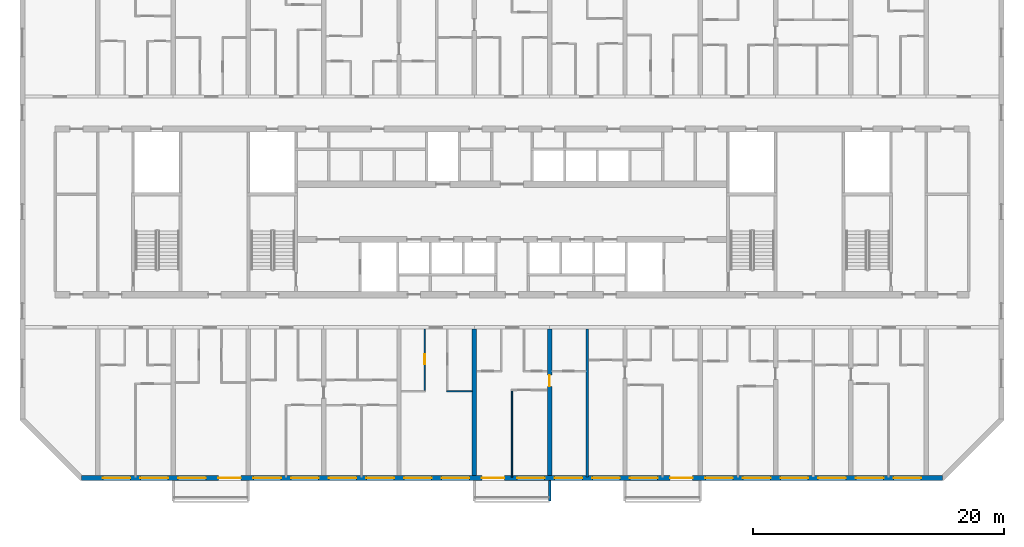
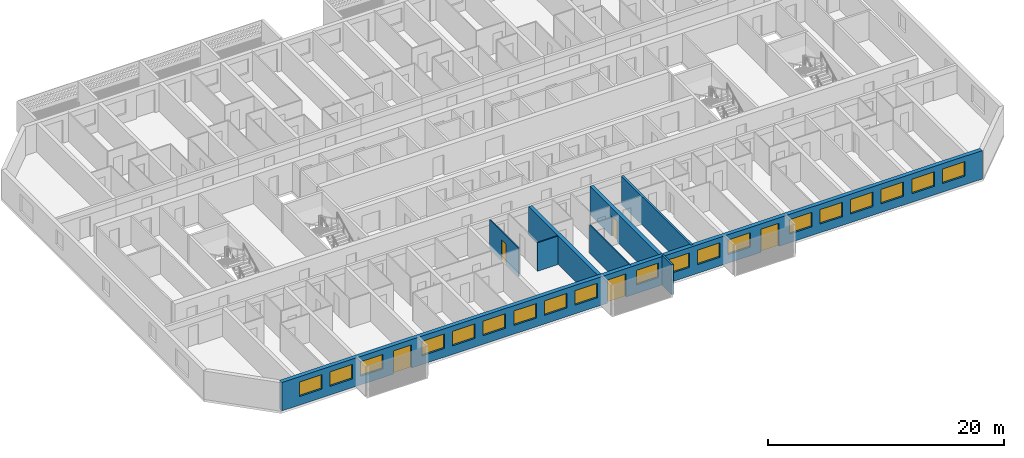
# One storey, part 4 of 24: 19 windows, 8 walls, 5 doors, 24 openings.
"""IFC4 building model written with IfcOpenShell, lengths in metres."""

from ifc_helpers import new_model, si_unit, direction, frame, frame_2d, origin, place, context, subcontext, project, spatial, polyline, rectangle, outline, extrude, source, transform, mapped, material, layer, layer_set, type_object, element, fill, save


model = new_model("IFC4")

# Units and contexts
model_context = context("Model", 3, precision=1e-05, world=origin(), true_north=direction((0.0, 1.0)))
body_context = subcontext(model_context, "Body", "Model", "MODEL_VIEW")
ifc_project = project(units=[si_unit("LENGTHUNIT", "METRE"), si_unit("AREAUNIT", "SQUARE_METRE"), si_unit("VOLUMEUNIT", "CUBIC_METRE"), si_unit("PLANEANGLEUNIT", "RADIAN"), si_unit("MASSUNIT", "GRAM", prefix="KILO")], contexts=[model_context])

# Site, building, storey
site_placement = place(None, origin())
site = spatial("IfcSite", under=ifc_project, at=site_placement, CompositionType="ELEMENT")
building_placement = place(site_placement, origin())
building = spatial("IfcBuilding", under=site, at=building_placement, Name="Poui Terraces", CompositionType="ELEMENT")
storey_placement = place(building_placement, frame((0.0, 0.0, 112.5)))
storey = spatial("IfcBuildingStorey", under=building, at=storey_placement, Name="L31", CompositionType="ELEMENT", Elevation=112.5)

# Wall
ifc_material_1 = material(Name="Concrete 65 MPa", Category="concrete")
ifc_layer_1 = layer(ifc_material_1, 0.35009765625)
ifc_layer_set_1 = layer_set([ifc_layer_1], Name="Concrete 65 MPa")
wall_type_1 = type_object("IfcWallType", Name="CROSS WALL 350 65MPa", PredefinedType="SHEAR", material=ifc_layer_set_1)
wall_1_placement = place(storey_placement, frame((48.0, 0.199951171875, 0.0), z_axis=(0.0, 0.0, 1.0), x_axis=(0.0, 1.0, 0.0)))
element("IfcWall", 1, at=wall_1_placement, inside=storey, type_object=wall_type_1, Name="CROSS WALL LINE 9 SOUTH", PredefinedType="SHEAR", context=body_context, shape_type="SweptSolid", body=[
    extrude(rectangle(XDim=11.675048828125, YDim=0.35009765625, at=frame_2d((5.83740234375, 0.0))), origin(), (0.0, 0.0, 1.0), 2.949951171875),
])

# Wall, opening, door
wall_2_placement = place(storey_placement, frame((54.0, 0.199951171875, 0.0), z_axis=(0.0, 0.0, 1.0), x_axis=(0.0, 1.0, 0.0)))
wall_2 = element("IfcWall", 2, at=wall_2_placement, inside=storey, type_object=wall_type_1, Name="CROSS WALL LINE 10 SOUTH", PredefinedType="SHEAR", context=body_context, shape_type="SweptSolid", body=[
    extrude(rectangle(XDim=11.675048828125, YDim=0.35009765625, at=frame_2d((5.83740234375, 0.0))), origin(), (0.0, 0.0, 1.0), 2.949951171875),
])
opening_1_placement = place(wall_2_placement, frame((7.10009765625, 0.0, 0.0)))
opening_1 = element("IfcOpeningElement", 3, at=opening_1_placement, cuts=wall_2, Name="Opening D90", PredefinedType="OPENING", context=body_context, shape_type="SweptSolid", body=[
    extrude(rectangle(XDim=0.89990234375, YDim=2.10009765625, at=frame_2d((0.449951171875, 1.050048828125))), frame((0.0, 0.18505859375, 0.0), z_axis=(0.0, -1.0, 0.0), x_axis=(1.0, 0.0, 0.0)), (0.0, 0.0, 1.0), 0.3701171875),
])
ifc_material_2 = material(Name="Solid core timber door", Category="wood")
door_type_1 = type_object("IfcDoorType", Name="INTERNAL DOOR 900 X 2100", OperationType="NOTDEFINED", PredefinedType="DOOR", material=ifc_material_2)
door_1_placement = place(opening_1_placement, frame((0.89990234375, 0.0, 0.0), z_axis=(0.0, 0.0, 1.0), x_axis=(-1.0, 0.0, 0.0)))
door_1 = element("IfcDoor", 4, at=door_1_placement, inside=storey, type_object=door_type_1, Name="INTERNAL DOOR 100", OperationType="SINGLE_SWING_LEFT", OverallHeight=2.10009765625, OverallWidth=0.89990234375, PredefinedType="DOOR", context=body_context, shape_type="SweptSolid", body=[
    extrude(rectangle(XDim=0.89990234375, YDim=2.10009765625, at=frame_2d((0.449951171875, 1.050048828125))), frame((0.0, 0.02490234375, 0.0), z_axis=(0.0, -1.0, 0.0), x_axis=(1.0, 0.0, 0.0)), (0.0, 0.0, 1.0), 0.050048828125),
])
fill(opening_1, door_1)

# Wall, openings, doors, windows
ifc_material_3 = material(Name="Precast concrete 40 MPa", Category="concrete")
ifc_layer_2 = layer(ifc_material_3, 0.39990234375)
ifc_layer_set_2 = layer_set([ifc_layer_2], Name="Precast concrete 40 MPa")
wall_type_2 = type_object("IfcWallType", Name="EXTERNAL WALL 400", PredefinedType="STANDARD", material=ifc_layer_set_2)
wall_3_placement = place(storey_placement, frame((16.682861328125, 0.0, 0.0), z_axis=(0.0, 0.0, 1.0), x_axis=(1.0, 0.0, 0.0)))
wall_3 = element("IfcWall", 5, at=wall_3_placement, inside=storey, type_object=wall_type_2, Name="EXTERNAL WALL S", PredefinedType="STANDARD", context=body_context, shape_type="SweptSolid", body=[
    extrude(rectangle(XDim=68.63427734375, YDim=0.39990234375, at=frame_2d((34.317138671875, 0.0))), origin(), (0.0, 0.0, 1.0), 2.949951171875),
])
opening_2_placement = place(wall_3_placement, frame((1.71728515625, 0.0, 0.89990234375)))
opening_2 = element("IfcOpeningElement", 6, at=opening_2_placement, cuts=wall_3, Name="Opening W1", PredefinedType="OPENING", context=body_context, shape_type="SweptSolid", body=[
    extrude(rectangle(XDim=2.199951171875, YDim=1.5, at=frame_2d((1.10009765625, 0.75))), frame((0.0, 0.2099609375, 0.0), z_axis=(0.0, -1.0, 0.0), x_axis=(1.0, 0.0, 0.0)), (0.0, 0.0, 1.0), 0.419921875),
])
opening_3_placement = place(wall_3_placement, frame((4.71728515625, 0.0, 0.89990234375)))
opening_3 = element("IfcOpeningElement", 7, at=opening_3_placement, cuts=wall_3, Name="Opening W1", PredefinedType="OPENING", context=body_context, shape_type="SweptSolid", body=[
    extrude(rectangle(XDim=2.199951171875, YDim=1.5, at=frame_2d((1.10009765625, 0.75))), frame((0.0, 0.2099609375, 0.0), z_axis=(0.0, -1.0, 0.0), x_axis=(1.0, 0.0, 0.0)), (0.0, 0.0, 1.0), 0.419921875),
])
opening_4_placement = place(wall_3_placement, frame((7.71728515625, 0.0, 0.89990234375)))
opening_4 = element("IfcOpeningElement", 8, at=opening_4_placement, cuts=wall_3, Name="Opening W1", PredefinedType="OPENING", context=body_context, shape_type="SweptSolid", body=[
    extrude(rectangle(XDim=2.199951171875, YDim=1.5, at=frame_2d((1.10009765625, 0.75))), frame((0.0, 0.2099609375, 0.0), z_axis=(0.0, -1.0, 0.0), x_axis=(1.0, 0.0, 0.0)), (0.0, 0.0, 1.0), 0.419921875),
])
opening_5_placement = place(wall_3_placement, frame((10.917236328125, 0.0, 0.0)))
opening_5 = element("IfcOpeningElement", 9, at=opening_5_placement, cuts=wall_3, Name="Opening BD1", PredefinedType="OPENING", context=body_context, shape_type="SweptSolid", body=[
    extrude(rectangle(XDim=1.800048828125, YDim=2.39990234375, at=frame_2d((0.89990234375, 1.199951171875))), frame((0.0, 0.2099609375, 0.0), z_axis=(0.0, -1.0, 0.0), x_axis=(1.0, 0.0, 0.0)), (0.0, 0.0, 1.0), 0.419921875),
])
opening_6_placement = place(wall_3_placement, frame((13.71728515625, 0.0, 0.89990234375)))
opening_6 = element("IfcOpeningElement", 10, at=opening_6_placement, cuts=wall_3, Name="Opening W1", PredefinedType="OPENING", context=body_context, shape_type="SweptSolid", body=[
    extrude(rectangle(XDim=2.199951171875, YDim=1.5, at=frame_2d((1.10009765625, 0.75))), frame((0.0, 0.2099609375, 0.0), z_axis=(0.0, -1.0, 0.0), x_axis=(1.0, 0.0, 0.0)), (0.0, 0.0, 1.0), 0.419921875),
])
opening_7_placement = place(wall_3_placement, frame((16.71728515625, 0.0, 0.89990234375)))
opening_7 = element("IfcOpeningElement", 11, at=opening_7_placement, cuts=wall_3, Name="Opening W1", PredefinedType="OPENING", context=body_context, shape_type="SweptSolid", body=[
    extrude(rectangle(XDim=2.199951171875, YDim=1.5, at=frame_2d((1.10009765625, 0.75))), frame((0.0, 0.2099609375, 0.0), z_axis=(0.0, -1.0, 0.0), x_axis=(1.0, 0.0, 0.0)), (0.0, 0.0, 1.0), 0.419921875),
])
opening_8_placement = place(wall_3_placement, frame((19.71728515625, 0.0, 0.89990234375)))
opening_8 = element("IfcOpeningElement", 12, at=opening_8_placement, cuts=wall_3, Name="Opening W1", PredefinedType="OPENING", context=body_context, shape_type="SweptSolid", body=[
    extrude(rectangle(XDim=2.199951171875, YDim=1.5, at=frame_2d((1.10009765625, 0.75))), frame((0.0, 0.2099609375, 0.0), z_axis=(0.0, -1.0, 0.0), x_axis=(1.0, 0.0, 0.0)), (0.0, 0.0, 1.0), 0.419921875),
])
opening_9_placement = place(wall_3_placement, frame((22.71728515625, 0.0, 0.89990234375)))
opening_9 = element("IfcOpeningElement", 13, at=opening_9_placement, cuts=wall_3, Name="Opening W1", PredefinedType="OPENING", context=body_context, shape_type="SweptSolid", body=[
    extrude(rectangle(XDim=2.199951171875, YDim=1.5, at=frame_2d((1.10009765625, 0.75))), frame((0.0, 0.2099609375, 0.0), z_axis=(0.0, -1.0, 0.0), x_axis=(1.0, 0.0, 0.0)), (0.0, 0.0, 1.0), 0.419921875),
])
opening_10_placement = place(wall_3_placement, frame((25.71728515625, 0.0, 0.89990234375)))
opening_10 = element("IfcOpeningElement", 14, at=opening_10_placement, cuts=wall_3, Name="Opening W1", PredefinedType="OPENING", context=body_context, shape_type="SweptSolid", body=[
    extrude(rectangle(XDim=2.199951171875, YDim=1.5, at=frame_2d((1.10009765625, 0.75))), frame((0.0, 0.2099609375, 0.0), z_axis=(0.0, -1.0, 0.0), x_axis=(1.0, 0.0, 0.0)), (0.0, 0.0, 1.0), 0.419921875),
])
opening_11_placement = place(wall_3_placement, frame((28.71728515625, 0.0, 0.89990234375)))
opening_11 = element("IfcOpeningElement", 15, at=opening_11_placement, cuts=wall_3, Name="Opening W1", PredefinedType="OPENING", context=body_context, shape_type="SweptSolid", body=[
    extrude(rectangle(XDim=2.199951171875, YDim=1.5, at=frame_2d((1.10009765625, 0.75))), frame((0.0, 0.2099609375, 0.0), z_axis=(0.0, -1.0, 0.0), x_axis=(1.0, 0.0, 0.0)), (0.0, 0.0, 1.0), 0.419921875),
])
opening_12_placement = place(wall_3_placement, frame((31.917236328125, 0.0, 0.0)))
opening_12 = element("IfcOpeningElement", 16, at=opening_12_placement, cuts=wall_3, Name="Opening BD1", PredefinedType="OPENING", context=body_context, shape_type="SweptSolid", body=[
    extrude(rectangle(XDim=1.800048828125, YDim=2.39990234375, at=frame_2d((0.89990234375, 1.199951171875))), frame((0.0, 0.2099609375, 0.0), z_axis=(0.0, -1.0, 0.0), x_axis=(1.0, 0.0, 0.0)), (0.0, 0.0, 1.0), 0.419921875),
])
opening_13_placement = place(wall_3_placement, frame((34.71728515625, 0.0, 0.89990234375)))
opening_13 = element("IfcOpeningElement", 17, at=opening_13_placement, cuts=wall_3, Name="Opening W1", PredefinedType="OPENING", context=body_context, shape_type="SweptSolid", body=[
    extrude(rectangle(XDim=2.199951171875, YDim=1.5, at=frame_2d((1.10009765625, 0.75))), frame((0.0, 0.2099609375, 0.0), z_axis=(0.0, -1.0, 0.0), x_axis=(1.0, 0.0, 0.0)), (0.0, 0.0, 1.0), 0.419921875),
])
opening_14_placement = place(wall_3_placement, frame((37.71728515625, 0.0, 0.89990234375)))
opening_14 = element("IfcOpeningElement", 18, at=opening_14_placement, cuts=wall_3, Name="Opening W1", PredefinedType="OPENING", context=body_context, shape_type="SweptSolid", body=[
    extrude(rectangle(XDim=2.199951171875, YDim=1.5, at=frame_2d((1.10009765625, 0.75))), frame((0.0, 0.2099609375, 0.0), z_axis=(0.0, -1.0, 0.0), x_axis=(1.0, 0.0, 0.0)), (0.0, 0.0, 1.0), 0.419921875),
])
opening_15_placement = place(wall_3_placement, frame((40.71728515625, 0.0, 0.89990234375)))
opening_15 = element("IfcOpeningElement", 19, at=opening_15_placement, cuts=wall_3, Name="Opening W1", PredefinedType="OPENING", context=body_context, shape_type="SweptSolid", body=[
    extrude(rectangle(XDim=2.199951171875, YDim=1.5, at=frame_2d((1.10009765625, 0.75))), frame((0.0, 0.2099609375, 0.0), z_axis=(0.0, -1.0, 0.0), x_axis=(1.0, 0.0, 0.0)), (0.0, 0.0, 1.0), 0.419921875),
])
opening_16_placement = place(wall_3_placement, frame((43.71728515625, 0.0, 0.89990234375)))
opening_16 = element("IfcOpeningElement", 20, at=opening_16_placement, cuts=wall_3, Name="Opening W1", PredefinedType="OPENING", context=body_context, shape_type="SweptSolid", body=[
    extrude(rectangle(XDim=2.199951171875, YDim=1.5, at=frame_2d((1.10009765625, 0.75))), frame((0.0, 0.2099609375, 0.0), z_axis=(0.0, -1.0, 0.0), x_axis=(1.0, 0.0, 0.0)), (0.0, 0.0, 1.0), 0.419921875),
])
opening_17_placement = place(wall_3_placement, frame((46.917236328125, 0.0, 0.0)))
opening_17 = element("IfcOpeningElement", 21, at=opening_17_placement, cuts=wall_3, Name="Opening BD1", PredefinedType="OPENING", context=body_context, shape_type="SweptSolid", body=[
    extrude(rectangle(XDim=1.800048828125, YDim=2.39990234375, at=frame_2d((0.89990234375, 1.199951171875))), frame((0.0, 0.2099609375, 0.0), z_axis=(0.0, -1.0, 0.0), x_axis=(1.0, 0.0, 0.0)), (0.0, 0.0, 1.0), 0.419921875),
])
opening_18_placement = place(wall_3_placement, frame((49.71728515625, 0.0, 0.89990234375)))
opening_18 = element("IfcOpeningElement", 22, at=opening_18_placement, cuts=wall_3, Name="Opening W1", PredefinedType="OPENING", context=body_context, shape_type="SweptSolid", body=[
    extrude(rectangle(XDim=2.199951171875, YDim=1.5, at=frame_2d((1.10009765625, 0.75))), frame((0.0, 0.2099609375, 0.0), z_axis=(0.0, -1.0, 0.0), x_axis=(1.0, 0.0, 0.0)), (0.0, 0.0, 1.0), 0.419921875),
])
opening_19_placement = place(wall_3_placement, frame((52.71728515625, 0.0, 0.89990234375)))
opening_19 = element("IfcOpeningElement", 23, at=opening_19_placement, cuts=wall_3, Name="Opening W1", PredefinedType="OPENING", context=body_context, shape_type="SweptSolid", body=[
    extrude(rectangle(XDim=2.199951171875, YDim=1.5, at=frame_2d((1.10009765625, 0.75))), frame((0.0, 0.2099609375, 0.0), z_axis=(0.0, -1.0, 0.0), x_axis=(1.0, 0.0, 0.0)), (0.0, 0.0, 1.0), 0.419921875),
])
opening_20_placement = place(wall_3_placement, frame((55.71728515625, 0.0, 0.89990234375)))
opening_20 = element("IfcOpeningElement", 24, at=opening_20_placement, cuts=wall_3, Name="Opening W1", PredefinedType="OPENING", context=body_context, shape_type="SweptSolid", body=[
    extrude(rectangle(XDim=2.199951171875, YDim=1.5, at=frame_2d((1.10009765625, 0.75))), frame((0.0, 0.2099609375, 0.0), z_axis=(0.0, -1.0, 0.0), x_axis=(1.0, 0.0, 0.0)), (0.0, 0.0, 1.0), 0.419921875),
])
opening_21_placement = place(wall_3_placement, frame((58.71728515625, 0.0, 0.89990234375)))
opening_21 = element("IfcOpeningElement", 25, at=opening_21_placement, cuts=wall_3, Name="Opening W1", PredefinedType="OPENING", context=body_context, shape_type="SweptSolid", body=[
    extrude(rectangle(XDim=2.199951171875, YDim=1.5, at=frame_2d((1.10009765625, 0.75))), frame((0.0, 0.2099609375, 0.0), z_axis=(0.0, -1.0, 0.0), x_axis=(1.0, 0.0, 0.0)), (0.0, 0.0, 1.0), 0.419921875),
])
opening_22_placement = place(wall_3_placement, frame((61.71728515625, 0.0, 0.89990234375)))
opening_22 = element("IfcOpeningElement", 26, at=opening_22_placement, cuts=wall_3, Name="Opening W1", PredefinedType="OPENING", context=body_context, shape_type="SweptSolid", body=[
    extrude(rectangle(XDim=2.199951171875, YDim=1.5, at=frame_2d((1.10009765625, 0.75))), frame((0.0, 0.2099609375, 0.0), z_axis=(0.0, -1.0, 0.0), x_axis=(1.0, 0.0, 0.0)), (0.0, 0.0, 1.0), 0.419921875),
])
opening_23_placement = place(wall_3_placement, frame((64.71728515625, 0.0, 0.89990234375)))
opening_23 = element("IfcOpeningElement", 27, at=opening_23_placement, cuts=wall_3, Name="Opening W1", PredefinedType="OPENING", context=body_context, shape_type="SweptSolid", body=[
    extrude(rectangle(XDim=2.199951171875, YDim=1.5, at=frame_2d((1.10009765625, 0.75))), frame((0.0, 0.2099609375, 0.0), z_axis=(0.0, -1.0, 0.0), x_axis=(1.0, 0.0, 0.0)), (0.0, 0.0, 1.0), 0.419921875),
])
ifc_material_4 = material(Name="Clear glass in aluminium frame", Category="aluminium")
door_type_2 = type_object("IfcDoorType", Name="BALCONY DOOR 1800X2400", OperationType="DOUBLE_DOOR_SLIDING", PredefinedType="DOOR", material=ifc_material_4)
door_2_placement = place(opening_5_placement, origin())
door_2 = element("IfcDoor", 28, at=door_2_placement, inside=storey, type_object=door_type_2, Name="BD1 BALCONY DOOR", OperationType="DOUBLE_DOOR_SLIDING", OverallHeight=2.39990234375, OverallWidth=1.800048828125, PredefinedType="DOOR", context=body_context, shape_type="SweptSolid", body=[
    extrude(rectangle(XDim=1.800048828125, YDim=2.39990234375, at=frame_2d((0.89990234375, 1.199951171875))), frame((0.0, 0.02490234375, 0.0), z_axis=(0.0, -1.0, 0.0), x_axis=(1.0, 0.0, 0.0)), (0.0, 0.0, 1.0), 0.050048828125),
])
fill(opening_5, door_2)
door_3_placement = place(opening_12_placement, origin())
door_3 = element("IfcDoor", 29, at=door_3_placement, inside=storey, type_object=door_type_2, Name="BD1 BALCONY DOOR", OperationType="DOUBLE_DOOR_SLIDING", OverallHeight=2.39990234375, OverallWidth=1.800048828125, PredefinedType="DOOR", context=body_context, shape_type="SweptSolid", body=[
    extrude(rectangle(XDim=1.800048828125, YDim=2.39990234375, at=frame_2d((0.89990234375, 1.199951171875))), frame((0.0, 0.02490234375, 0.0), z_axis=(0.0, -1.0, 0.0), x_axis=(1.0, 0.0, 0.0)), (0.0, 0.0, 1.0), 0.050048828125),
])
fill(opening_12, door_3)
door_4_placement = place(opening_17_placement, origin())
door_4 = element("IfcDoor", 30, at=door_4_placement, inside=storey, type_object=door_type_2, Name="BD1 BALCONY DOOR", OperationType="DOUBLE_DOOR_SLIDING", OverallHeight=2.39990234375, OverallWidth=1.800048828125, PredefinedType="DOOR", context=body_context, shape_type="SweptSolid", body=[
    extrude(rectangle(XDim=1.800048828125, YDim=2.39990234375, at=frame_2d((0.89990234375, 1.199951171875))), frame((0.0, 0.02490234375, 0.0), z_axis=(0.0, -1.0, 0.0), x_axis=(1.0, 0.0, 0.0)), (0.0, 0.0, 1.0), 0.050048828125),
])
fill(opening_17, door_4)
window_type = type_object("IfcWindowType", Name="WINDOW 2200X1500", PartitioningType="DOUBLE_PANEL_HORIZONTAL", PredefinedType="WINDOW", material=ifc_material_4)
window_1_placement = place(opening_2_placement, origin())
window_1 = element("IfcWindow", 31, at=window_1_placement, inside=storey, type_object=window_type, Name="W1 WINDOW", OverallHeight=1.5, OverallWidth=2.199951171875, PartitioningType="DOUBLE_PANEL_HORIZONTAL", PredefinedType="WINDOW", context=body_context, shape_type="SweptSolid", body=[
    extrude(rectangle(XDim=2.199951171875, YDim=1.5, at=frame_2d((1.10009765625, 0.75))), frame((0.0, 0.030029296875, 0.0), z_axis=(0.0, -1.0, 0.0), x_axis=(1.0, 0.0, 0.0)), (0.0, 0.0, 1.0), 0.06005859375),
])
fill(opening_2, window_1)
window_2_placement = place(opening_3_placement, origin())
window_2 = element("IfcWindow", 32, at=window_2_placement, inside=storey, type_object=window_type, Name="W1 WINDOW", OverallHeight=1.5, OverallWidth=2.199951171875, PartitioningType="DOUBLE_PANEL_HORIZONTAL", PredefinedType="WINDOW", context=body_context, shape_type="SweptSolid", body=[
    extrude(rectangle(XDim=2.199951171875, YDim=1.5, at=frame_2d((1.10009765625, 0.75))), frame((0.0, 0.030029296875, 0.0), z_axis=(0.0, -1.0, 0.0), x_axis=(1.0, 0.0, 0.0)), (0.0, 0.0, 1.0), 0.06005859375),
])
fill(opening_3, window_2)
window_3_placement = place(opening_4_placement, origin())
window_3 = element("IfcWindow", 33, at=window_3_placement, inside=storey, type_object=window_type, Name="W1 WINDOW", OverallHeight=1.5, OverallWidth=2.199951171875, PartitioningType="DOUBLE_PANEL_HORIZONTAL", PredefinedType="WINDOW", context=body_context, shape_type="SweptSolid", body=[
    extrude(rectangle(XDim=2.199951171875, YDim=1.5, at=frame_2d((1.10009765625, 0.75))), frame((0.0, 0.030029296875, 0.0), z_axis=(0.0, -1.0, 0.0), x_axis=(1.0, 0.0, 0.0)), (0.0, 0.0, 1.0), 0.06005859375),
])
fill(opening_4, window_3)
window_4_placement = place(opening_6_placement, origin())
window_4 = element("IfcWindow", 34, at=window_4_placement, inside=storey, type_object=window_type, Name="W1 WINDOW", OverallHeight=1.5, OverallWidth=2.199951171875, PartitioningType="DOUBLE_PANEL_HORIZONTAL", PredefinedType="WINDOW", context=body_context, shape_type="SweptSolid", body=[
    extrude(rectangle(XDim=2.199951171875, YDim=1.5, at=frame_2d((1.10009765625, 0.75))), frame((0.0, 0.030029296875, 0.0), z_axis=(0.0, -1.0, 0.0), x_axis=(1.0, 0.0, 0.0)), (0.0, 0.0, 1.0), 0.06005859375),
])
fill(opening_6, window_4)
window_5_placement = place(opening_7_placement, origin())
window_5 = element("IfcWindow", 35, at=window_5_placement, inside=storey, type_object=window_type, Name="W1 WINDOW", OverallHeight=1.5, OverallWidth=2.199951171875, PartitioningType="DOUBLE_PANEL_HORIZONTAL", PredefinedType="WINDOW", context=body_context, shape_type="SweptSolid", body=[
    extrude(rectangle(XDim=2.199951171875, YDim=1.5, at=frame_2d((1.10009765625, 0.75))), frame((0.0, 0.030029296875, 0.0), z_axis=(0.0, -1.0, 0.0), x_axis=(1.0, 0.0, 0.0)), (0.0, 0.0, 1.0), 0.06005859375),
])
fill(opening_7, window_5)
window_6_placement = place(opening_8_placement, origin())
window_6 = element("IfcWindow", 36, at=window_6_placement, inside=storey, type_object=window_type, Name="W1 WINDOW", OverallHeight=1.5, OverallWidth=2.199951171875, PartitioningType="DOUBLE_PANEL_HORIZONTAL", PredefinedType="WINDOW", context=body_context, shape_type="SweptSolid", body=[
    extrude(rectangle(XDim=2.199951171875, YDim=1.5, at=frame_2d((1.10009765625, 0.75))), frame((0.0, 0.030029296875, 0.0), z_axis=(0.0, -1.0, 0.0), x_axis=(1.0, 0.0, 0.0)), (0.0, 0.0, 1.0), 0.06005859375),
])
fill(opening_8, window_6)
window_7_placement = place(opening_9_placement, origin())
window_7 = element("IfcWindow", 37, at=window_7_placement, inside=storey, type_object=window_type, Name="W1 WINDOW", OverallHeight=1.5, OverallWidth=2.199951171875, PartitioningType="DOUBLE_PANEL_HORIZONTAL", PredefinedType="WINDOW", context=body_context, shape_type="SweptSolid", body=[
    extrude(rectangle(XDim=2.199951171875, YDim=1.5, at=frame_2d((1.10009765625, 0.75))), frame((0.0, 0.030029296875, 0.0), z_axis=(0.0, -1.0, 0.0), x_axis=(1.0, 0.0, 0.0)), (0.0, 0.0, 1.0), 0.06005859375),
])
fill(opening_9, window_7)
window_8_placement = place(opening_10_placement, origin())
window_8 = element("IfcWindow", 38, at=window_8_placement, inside=storey, type_object=window_type, Name="W1 WINDOW", OverallHeight=1.5, OverallWidth=2.199951171875, PartitioningType="DOUBLE_PANEL_HORIZONTAL", PredefinedType="WINDOW", context=body_context, shape_type="SweptSolid", body=[
    extrude(rectangle(XDim=2.199951171875, YDim=1.5, at=frame_2d((1.10009765625, 0.75))), frame((0.0, 0.030029296875, 0.0), z_axis=(0.0, -1.0, 0.0), x_axis=(1.0, 0.0, 0.0)), (0.0, 0.0, 1.0), 0.06005859375),
])
fill(opening_10, window_8)
window_9_placement = place(opening_11_placement, origin())
window_9 = element("IfcWindow", 39, at=window_9_placement, inside=storey, type_object=window_type, Name="W1 WINDOW", OverallHeight=1.5, OverallWidth=2.199951171875, PartitioningType="DOUBLE_PANEL_HORIZONTAL", PredefinedType="WINDOW", context=body_context, shape_type="SweptSolid", body=[
    extrude(rectangle(XDim=2.199951171875, YDim=1.5, at=frame_2d((1.10009765625, 0.75))), frame((0.0, 0.030029296875, 0.0), z_axis=(0.0, -1.0, 0.0), x_axis=(1.0, 0.0, 0.0)), (0.0, 0.0, 1.0), 0.06005859375),
])
fill(opening_11, window_9)
window_10_placement = place(opening_13_placement, origin())
window_10 = element("IfcWindow", 40, at=window_10_placement, inside=storey, type_object=window_type, Name="W1 WINDOW", OverallHeight=1.5, OverallWidth=2.199951171875, PartitioningType="DOUBLE_PANEL_HORIZONTAL", PredefinedType="WINDOW", context=body_context, shape_type="SweptSolid", body=[
    extrude(rectangle(XDim=2.199951171875, YDim=1.5, at=frame_2d((1.10009765625, 0.75))), frame((0.0, 0.030029296875, 0.0), z_axis=(0.0, -1.0, 0.0), x_axis=(1.0, 0.0, 0.0)), (0.0, 0.0, 1.0), 0.06005859375),
])
fill(opening_13, window_10)
window_11_placement = place(opening_14_placement, origin())
window_11 = element("IfcWindow", 41, at=window_11_placement, inside=storey, type_object=window_type, Name="W1 WINDOW", OverallHeight=1.5, OverallWidth=2.199951171875, PartitioningType="DOUBLE_PANEL_HORIZONTAL", PredefinedType="WINDOW", context=body_context, shape_type="SweptSolid", body=[
    extrude(rectangle(XDim=2.199951171875, YDim=1.5, at=frame_2d((1.10009765625, 0.75))), frame((0.0, 0.030029296875, 0.0), z_axis=(0.0, -1.0, 0.0), x_axis=(1.0, 0.0, 0.0)), (0.0, 0.0, 1.0), 0.06005859375),
])
fill(opening_14, window_11)
window_12_placement = place(opening_15_placement, origin())
window_12 = element("IfcWindow", 42, at=window_12_placement, inside=storey, type_object=window_type, Name="W1 WINDOW", OverallHeight=1.5, OverallWidth=2.199951171875, PartitioningType="DOUBLE_PANEL_HORIZONTAL", PredefinedType="WINDOW", context=body_context, shape_type="SweptSolid", body=[
    extrude(rectangle(XDim=2.199951171875, YDim=1.5, at=frame_2d((1.10009765625, 0.75))), frame((0.0, 0.030029296875, 0.0), z_axis=(0.0, -1.0, 0.0), x_axis=(1.0, 0.0, 0.0)), (0.0, 0.0, 1.0), 0.06005859375),
])
fill(opening_15, window_12)
window_13_placement = place(opening_16_placement, origin())
window_13 = element("IfcWindow", 43, at=window_13_placement, inside=storey, type_object=window_type, Name="W1 WINDOW", OverallHeight=1.5, OverallWidth=2.199951171875, PartitioningType="DOUBLE_PANEL_HORIZONTAL", PredefinedType="WINDOW", context=body_context, shape_type="SweptSolid", body=[
    extrude(rectangle(XDim=2.199951171875, YDim=1.5, at=frame_2d((1.10009765625, 0.75))), frame((0.0, 0.030029296875, 0.0), z_axis=(0.0, -1.0, 0.0), x_axis=(1.0, 0.0, 0.0)), (0.0, 0.0, 1.0), 0.06005859375),
])
fill(opening_16, window_13)
window_14_placement = place(opening_18_placement, origin())
window_14 = element("IfcWindow", 44, at=window_14_placement, inside=storey, type_object=window_type, Name="W1 WINDOW", OverallHeight=1.5, OverallWidth=2.199951171875, PartitioningType="DOUBLE_PANEL_HORIZONTAL", PredefinedType="WINDOW", context=body_context, shape_type="SweptSolid", body=[
    extrude(rectangle(XDim=2.199951171875, YDim=1.5, at=frame_2d((1.10009765625, 0.75))), frame((0.0, 0.030029296875, 0.0), z_axis=(0.0, -1.0, 0.0), x_axis=(1.0, 0.0, 0.0)), (0.0, 0.0, 1.0), 0.06005859375),
])
fill(opening_18, window_14)
window_15_placement = place(opening_19_placement, origin())
window_15 = element("IfcWindow", 45, at=window_15_placement, inside=storey, type_object=window_type, Name="W1 WINDOW", OverallHeight=1.5, OverallWidth=2.199951171875, PartitioningType="DOUBLE_PANEL_HORIZONTAL", PredefinedType="WINDOW", context=body_context, shape_type="SweptSolid", body=[
    extrude(rectangle(XDim=2.199951171875, YDim=1.5, at=frame_2d((1.10009765625, 0.75))), frame((0.0, 0.030029296875, 0.0), z_axis=(0.0, -1.0, 0.0), x_axis=(1.0, 0.0, 0.0)), (0.0, 0.0, 1.0), 0.06005859375),
])
fill(opening_19, window_15)
window_16_placement = place(opening_20_placement, origin())
window_16 = element("IfcWindow", 46, at=window_16_placement, inside=storey, type_object=window_type, Name="W1 WINDOW", OverallHeight=1.5, OverallWidth=2.199951171875, PartitioningType="DOUBLE_PANEL_HORIZONTAL", PredefinedType="WINDOW", context=body_context, shape_type="SweptSolid", body=[
    extrude(rectangle(XDim=2.199951171875, YDim=1.5, at=frame_2d((1.10009765625, 0.75))), frame((0.0, 0.030029296875, 0.0), z_axis=(0.0, -1.0, 0.0), x_axis=(1.0, 0.0, 0.0)), (0.0, 0.0, 1.0), 0.06005859375),
])
fill(opening_20, window_16)
window_17_placement = place(opening_21_placement, origin())
window_17 = element("IfcWindow", 47, at=window_17_placement, inside=storey, type_object=window_type, Name="W1 WINDOW", OverallHeight=1.5, OverallWidth=2.199951171875, PartitioningType="DOUBLE_PANEL_HORIZONTAL", PredefinedType="WINDOW", context=body_context, shape_type="SweptSolid", body=[
    extrude(rectangle(XDim=2.199951171875, YDim=1.5, at=frame_2d((1.10009765625, 0.75))), frame((0.0, 0.030029296875, 0.0), z_axis=(0.0, -1.0, 0.0), x_axis=(1.0, 0.0, 0.0)), (0.0, 0.0, 1.0), 0.06005859375),
])
fill(opening_21, window_17)
window_18_placement = place(opening_22_placement, origin())
window_18 = element("IfcWindow", 48, at=window_18_placement, inside=storey, type_object=window_type, Name="W1 WINDOW", OverallHeight=1.5, OverallWidth=2.199951171875, PartitioningType="DOUBLE_PANEL_HORIZONTAL", PredefinedType="WINDOW", context=body_context, shape_type="SweptSolid", body=[
    extrude(rectangle(XDim=2.199951171875, YDim=1.5, at=frame_2d((1.10009765625, 0.75))), frame((0.0, 0.030029296875, 0.0), z_axis=(0.0, -1.0, 0.0), x_axis=(1.0, 0.0, 0.0)), (0.0, 0.0, 1.0), 0.06005859375),
])
fill(opening_22, window_18)
window_19_placement = place(opening_23_placement, origin())
window_19 = element("IfcWindow", 49, at=window_19_placement, inside=storey, type_object=window_type, Name="W1 WINDOW", OverallHeight=1.5, OverallWidth=2.199951171875, PartitioningType="DOUBLE_PANEL_HORIZONTAL", PredefinedType="WINDOW", context=body_context, shape_type="SweptSolid", body=[
    extrude(rectangle(XDim=2.199951171875, YDim=1.5, at=frame_2d((1.10009765625, 0.75))), frame((0.0, 0.030029296875, 0.0), z_axis=(0.0, -1.0, 0.0), x_axis=(1.0, 0.0, 0.0)), (0.0, 0.0, 1.0), 0.06005859375),
])
fill(opening_23, window_19)

# Wall
ifc_material_5 = material(Name="Plasterboard partition")
ifc_layer_3 = layer(ifc_material_5, 0.10009765625)
ifc_layer_set_3 = layer_set([ifc_layer_3], Name="Plasterboard partition")
wall_type_3 = type_object("IfcWallType", Name="FLAT PARTITION 100", PredefinedType="PARTITIONING", material=ifc_layer_set_3)
wall_4_placement = place(storey_placement, frame((45.800048828125, 6.89990234375, 0.0), z_axis=(0.0, 0.0, 1.0), x_axis=(1.0, 0.0, 0.0)))
element("IfcWall", 50, at=wall_4_placement, inside=storey, type_object=wall_type_3, Name="FLAT PARTITION 100", PredefinedType="PARTITIONING", context=body_context, shape_type="SweptSolid", body=[
    extrude(rectangle(XDim=2.014892578125, YDim=0.10009765625, at=frame_2d((1.00732421875, 0.0))), origin(), (0.0, 0.0, 1.0), 2.949951171875),
])

# Wall, opening, door
wall_5_placement = place(storey_placement, frame((44.050048828125, 6.949951171875, 0.0), z_axis=(0.0, 0.0, 1.0), x_axis=(0.0, 1.0, 0.0)))
wall_5 = element("IfcWall", 51, at=wall_5_placement, inside=storey, type_object=wall_type_3, Name="FLAT PARTITION 100", PredefinedType="PARTITIONING", context=body_context, shape_type="SweptSolid", body=[
    extrude(rectangle(XDim=4.9150390625, YDim=0.10009765625, at=frame_2d((2.45751953125, 0.0))), origin(), (0.0, 0.0, 1.0), 2.949951171875),
])
opening_24_placement = place(wall_5_placement, frame((2.10009765625, 0.0, 0.0)))
opening_24 = element("IfcOpeningElement", 52, at=opening_24_placement, cuts=wall_5, Name="Opening D80", PredefinedType="OPENING", context=body_context, shape_type="SweptSolid", body=[
    extrude(rectangle(XDim=0.800048828125, YDim=2.10009765625, at=frame_2d((0.39990234375, 1.050048828125))), frame((0.0, 0.06005859375, 0.0), z_axis=(0.0, -1.0, 0.0), x_axis=(1.0, 0.0, 0.0)), (0.0, 0.0, 1.0), 0.1201171875),
])
door_type_3 = type_object("IfcDoorType", Name="BATHROOM, LAUNDRY AND STORE DOOR 800 X 2100", OperationType="NOTDEFINED", PredefinedType="DOOR", material=ifc_material_2)
door_5_placement = place(opening_24_placement, origin())
door_5 = element("IfcDoor", 53, at=door_5_placement, inside=storey, type_object=door_type_3, Name="BATHROOM, LAUNDRY AND STORE DOOR 092", OperationType="SINGLE_SWING_RIGHT", OverallHeight=2.10009765625, OverallWidth=0.800048828125, PredefinedType="DOOR", context=body_context, shape_type="SweptSolid", body=[
    extrude(rectangle(XDim=0.800048828125, YDim=2.10009765625, at=frame_2d((0.39990234375, 1.050048828125))), frame((0.0, 0.02490234375, 0.0), z_axis=(0.0, -1.0, 0.0), x_axis=(1.0, 0.0, 0.0)), (0.0, 0.0, 1.0), 0.050048828125),
])
fill(opening_24, door_5)

# Walls
wall_6_placement = place(storey_placement, frame((51.0, 0.06005859375, 0.0), z_axis=(0.0, 0.0, 1.0), x_axis=(0.0, 1.0, 0.0)))
element("IfcWall", 54, at=wall_6_placement, inside=storey, type_object=wall_type_3, Name="FLAT PARTITION 100", PredefinedType="PARTITIONING", context=body_context, shape_type="SweptSolid", body=[
    extrude(rectangle(XDim=6.889892578125, YDim=0.10009765625, at=frame_2d((3.44482421875, 0.0))), origin(), (0.0, 0.0, 1.0), 2.949951171875),
])
ifc_material_6 = material(Name="Fire-rated masonry wall", Category="masonry")
ifc_layer_4 = layer(ifc_material_6, 0.199951171875)
ifc_layer_set_4 = layer_set([ifc_layer_4], Name="Fire-rated masonry wall")
wall_type_4 = type_object("IfcWallType", Name="FLAT PARTY WALL 200", PredefinedType="PARTITIONING", material=ifc_layer_set_4)
wall_7_placement = place(storey_placement, frame((57.0, 0.06005859375, 0.0), z_axis=(0.0, 0.0, 1.0), x_axis=(0.0, 1.0, 0.0)))
element("IfcWall", 55, at=wall_7_placement, inside=storey, type_object=wall_type_4, Name="FLAT PARTY WALL 200", PredefinedType="PARTITIONING", context=body_context, shape_type="SweptSolid", body=[
    extrude(rectangle(XDim=11.804931640625, YDim=0.199951171875, at=frame_2d((5.90234375, 0.0))), origin(), (0.0, 0.0, 1.0), 2.949951171875),
])
ifc_layer_5 = layer(ifc_material_3, 0.199951171875)
ifc_layer_set_5 = layer_set([ifc_layer_5], Name="Precast concrete 40 MPa")
wall_type_5 = type_object("IfcWallType", Name="REAR FIN 200", PredefinedType="STANDARD", material=ifc_layer_set_5)
shared_shape = source(origin(), body_context, "Body", "SweptSolid", [
    extrude(outline(polyline([(0.0, 0.0), (0.2001953125, 0.0), (0.2001953125, 1.650146484375), (0.0, 1.650146484375), (0.0, 0.0)])), origin(), (0.0, 0.0, 1.0), 3.10009765625),
])
wall_8_placement = place(storey_placement, frame((53.89990234375, -1.85009765625, 0.0)))
element("IfcWall", 56, at=wall_8_placement, inside=storey, type_object=wall_type_5, Name="REAR FIN", PredefinedType="STANDARD", context=body_context, shape_type="MappedRepresentation", body=[
    mapped(shared_shape, transform((0.0, 0.0, 0.0))),
])

save(model, "model.ifc")
